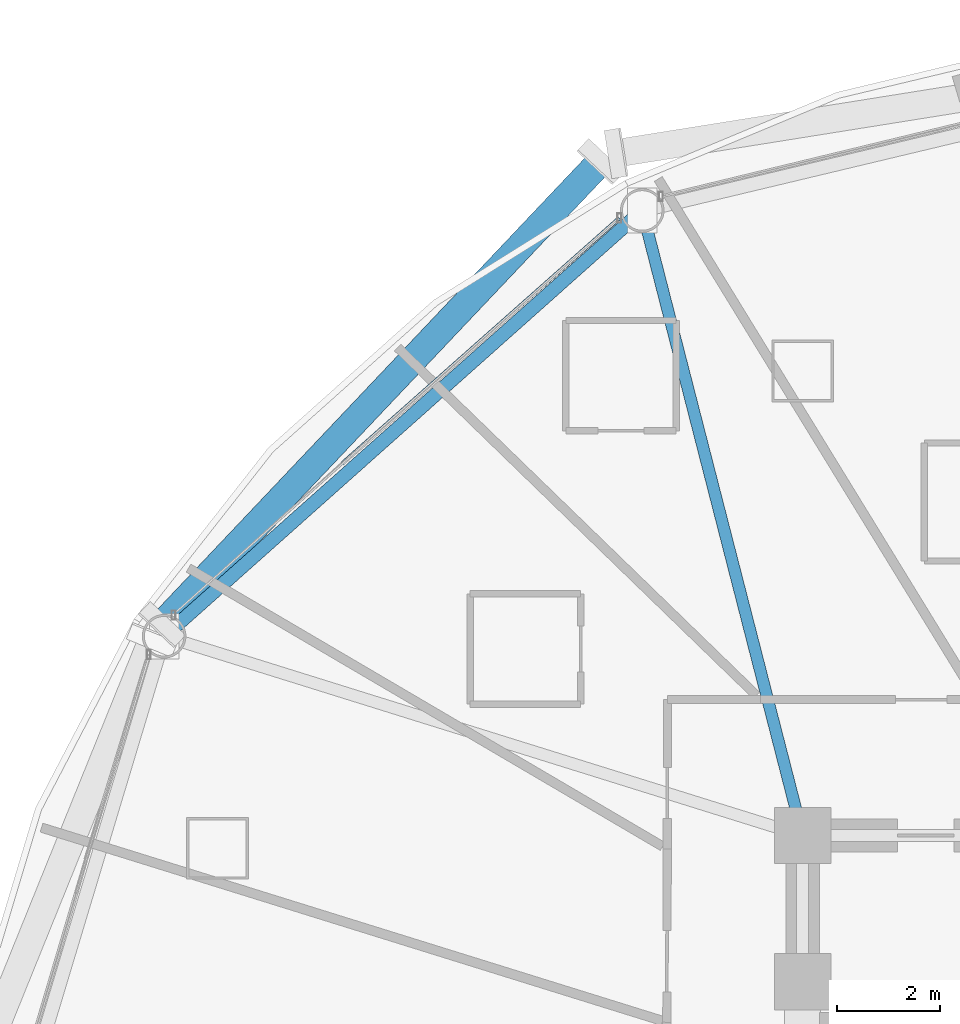
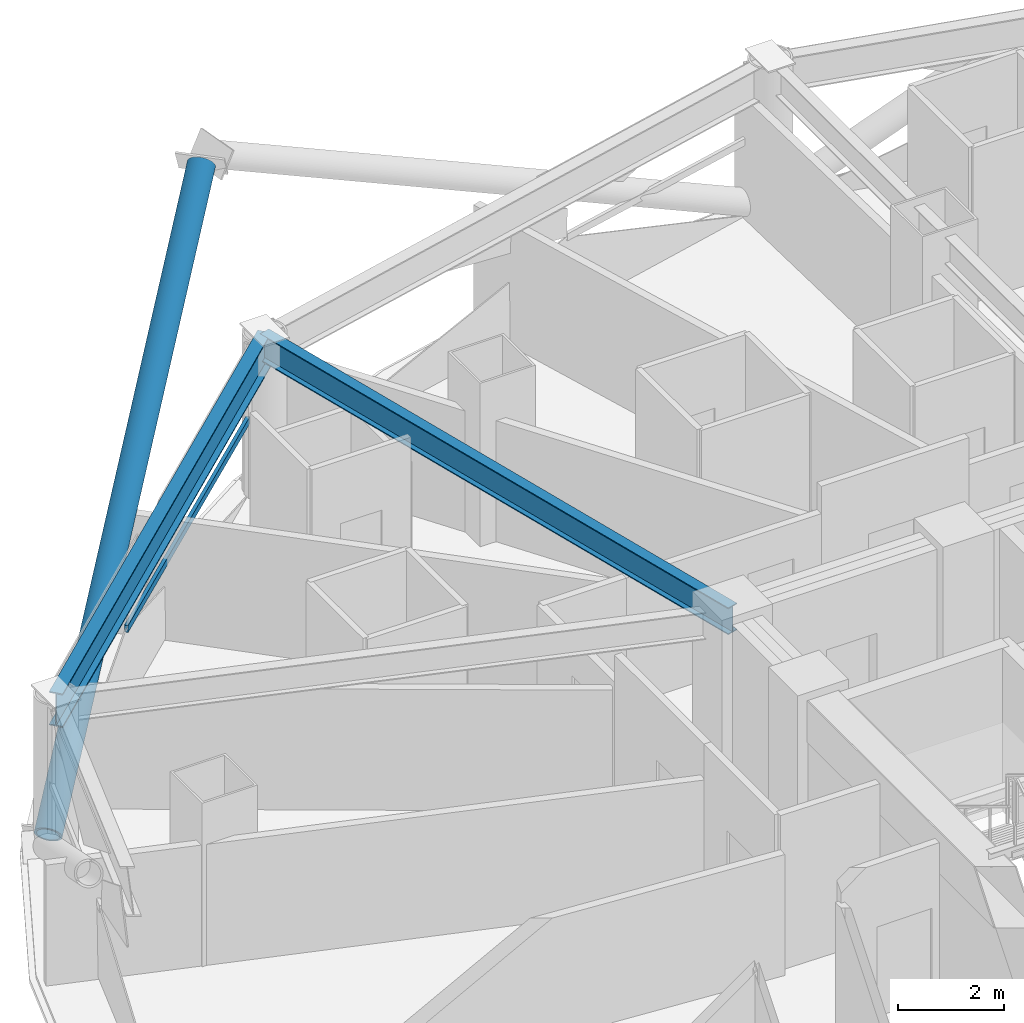
# One storey, part 14 of 31: 2 beams, 2 members, 1 element without a shape of its own.
"""IFC4 building model written with IfcOpenShell, lengths in metres."""

from ifc_helpers import new_model, si_unit, direction, frame, origin, origin_2d, place, context, subcontext, project, spatial, hollow_rectangle, hollow_circle, i_section, extrude, material, layer, layer_set, material_profile, profile_set, type_object, element, aggregate, save


model = new_model("IFC4")

# Units and contexts
model_context = context("Model", 3, precision=1e-05, world=origin(), true_north=direction((0.0, 1.0)))
body_context = subcontext(model_context, "Body", "Model", "MODEL_VIEW")
ifc_project = project(units=[si_unit("LENGTHUNIT", "METRE"), si_unit("AREAUNIT", "SQUARE_METRE"), si_unit("VOLUMEUNIT", "CUBIC_METRE"), si_unit("PLANEANGLEUNIT", "RADIAN"), si_unit("MASSUNIT", "GRAM", prefix="KILO")], contexts=[model_context])

# Site, building, storey
site_placement = place(None, origin())
site = spatial("IfcSite", under=ifc_project, at=site_placement, CompositionType="ELEMENT")
building_placement = place(site_placement, origin())
building = spatial("IfcBuilding", under=site, at=building_placement, Name="Vantalir Tower", CompositionType="ELEMENT")
storey_placement = place(building_placement, frame((0.0, 0.0, 34.5)))
storey = spatial("IfcBuildingStorey", under=building, at=storey_placement, Name="L07", CompositionType="ELEMENT", Elevation=34.5)

# Beams
ifc_material_1 = material(Name="Steel S355", Category="steel")
ifc_material_profile_1 = material_profile(ifc_material_1, i_section(OverallWidth=0.22998046875, OverallDepth=0.616943359375, WebThickness=0.01318359375, FlangeThickness=0.022216796875, at=origin_2d()), Name="Steel S355")
ifc_profile_set_1 = profile_set([ifc_material_profile_1], Name="Steel S355")
beam_type_1 = type_object("IfcBeamType", Name="BM-RB-610x229", PredefinedType="BEAM", material=ifc_profile_set_1)
beam_1_placement = place(storey_placement, frame((18.77490234375, 44.6279296875, 3.261962890625), z_axis=(0.248557552091, -0.968617129365, 0.0), x_axis=(0.968617129365, 0.248557552091, 0.0)))
element("IfcBeam", 1, at=beam_1_placement, inside=storey, type_object=beam_type_1, Name="L07 Radial Floor Beam 05", PredefinedType="BEAM", context=body_context, shape_type="SweptSolid", body=[
    extrude(i_section(OverallWidth=0.22998046875, OverallDepth=0.616943359375, WebThickness=0.01318359375, FlangeThickness=0.022216796875, at=origin_2d()), origin(), (0.0, 0.0, 1.0), 12.572509765625),
])
ifc_material_2 = material(Name="Steel S460", Category="steel")
ifc_material_profile_2 = material_profile(ifc_material_2, i_section(OverallWidth=0.26806640625, OverallDepth=0.77001953125, WebThickness=0.015625, FlangeThickness=0.025390625, at=origin_2d()), Name="Steel S460")
ifc_profile_set_2 = profile_set([ifc_material_profile_2], Name="Steel S460")
beam_type_2 = type_object("IfcBeamType", Name="BM-RG-762x267", PredefinedType="USERDEFINED", material=ifc_profile_set_2)
beam_2_placement = place(storey_placement, frame((18.77490234375, 44.6279296875, 3.18505859375), z_axis=(-0.746774014303, -0.665077868795, 0.0), x_axis=(0.665077868795, -0.746774014303, 0.0)))
element("IfcBeam", 2, at=beam_2_placement, inside=storey, type_object=beam_type_2, Name="L07 Circumferential Ring Girder 05", ObjectType="GIRDER", PredefinedType="USERDEFINED", context=body_context, shape_type="SweptSolid", body=[
    extrude(i_section(OverallWidth=0.26806640625, OverallDepth=0.77001953125, WebThickness=0.015625, FlangeThickness=0.025390625, at=origin_2d()), origin(), (0.0, 0.0, 1.0), 12.4736328125),
])

# Curtain wall, member
ifc_material_3 = material(Name="Champagne-silver PVDF aluminium and double-silver Low-E glass", Category="aluminium")
ifc_layer = layer(ifc_material_3, 0.18994140625)
ifc_layer_set = layer_set([ifc_layer], Name="Champagne-silver PVDF aluminium and double-silver Low-E glass")
curtain_wall_type = type_object("IfcCurtainWallType", Name="CW-DIAMOND-Z1", PredefinedType="USERDEFINED", material=ifc_layer_set)
curtain_wall_placement = place(storey_placement, origin())
curtain_wall = element("IfcCurtainWall", 3, at=curtain_wall_placement, inside=storey, type_object=curtain_wall_type, Name="L07 Quilted Pyramid-Diamond Curtain Wall S05", ObjectType="UNITISED CURTAIN WALL", PredefinedType="USERDEFINED")
ifc_material_4 = material(Name="Champagne-silver PVDF aluminium 6063-T6", Category="aluminium")
ifc_material_profile_3 = material_profile(ifc_material_4, hollow_rectangle(XDim=0.074951171875, YDim=0.159912109375, WallThickness=0.00390625, at=origin_2d()), Name="Champagne-silver PVDF aluminium 6063-T6")
ifc_profile_set_3 = profile_set([ifc_material_profile_3], Name="Champagne-silver PVDF aluminium 6063-T6")
member_type_1 = type_object("IfcMemberType", Name="CWT-160x75", PredefinedType="USERDEFINED", material=ifc_profile_set_3)
member_1_placement = place(storey_placement, frame((18.3291015625, 44.47900390625, 1.784912109375), z_axis=(-0.748709088979, -0.662898710272, 0.0), x_axis=(0.662898710272, -0.748709088979, 0.0)))
member_1 = element("IfcMember", 4, at=member_1_placement, type_object=member_type_1, Name="CW-L07-S05 Pyramid Fold Ridge Transom", ObjectType="TRANSOM", PredefinedType="USERDEFINED", context=body_context, shape_type="SweptSolid", body=[
    extrude(hollow_rectangle(XDim=0.074951171875, YDim=0.159912109375, WallThickness=0.00390625, at=origin_2d()), origin(), (0.0, 0.0, 1.0), 7.21533203125),
])
aggregate(curtain_wall, [member_1])

# Member
ifc_material_profile_4 = material_profile(ifc_material_2, hollow_circle(Radius=0.27001953125, WallThickness=0.044921875, at=origin_2d()), Name="Steel S460")
ifc_profile_set_4 = profile_set([ifc_material_profile_4], Name="Steel S460")
member_type_2 = type_object("IfcMemberType", Name="MEM-DB-540x45", PredefinedType="BRACE", material=ifc_profile_set_4)
member_2_placement = place(storey_placement, frame((9.427001953125, 36.56591796875, 0.18701171875), z_axis=(0.599836278695, 0.633600361609, 0.488617458275), x_axis=(-0.726191086142, 0.687492913715, 0.0)))
element("IfcMember", 5, at=member_2_placement, inside=storey, type_object=member_type_2, Name="L07 Perimeter S460 Diagrid Brace R16R", PredefinedType="BRACE", context=body_context, shape_type="SweptSolid", body=[
    extrude(hollow_circle(Radius=0.27001953125, WallThickness=0.044921875, at=origin_2d()), origin(), (0.0, 0.0, 1.0), 14.2158203125),
])

save(model, "model.ifc")
